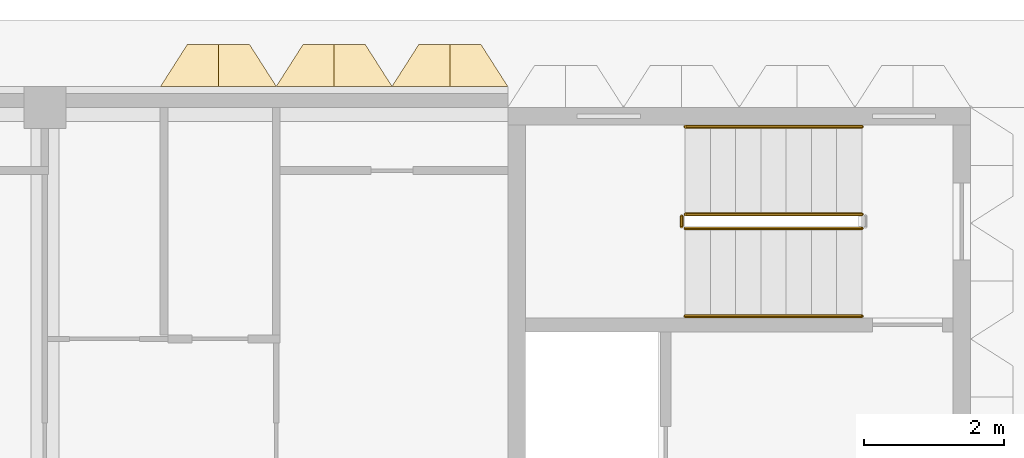
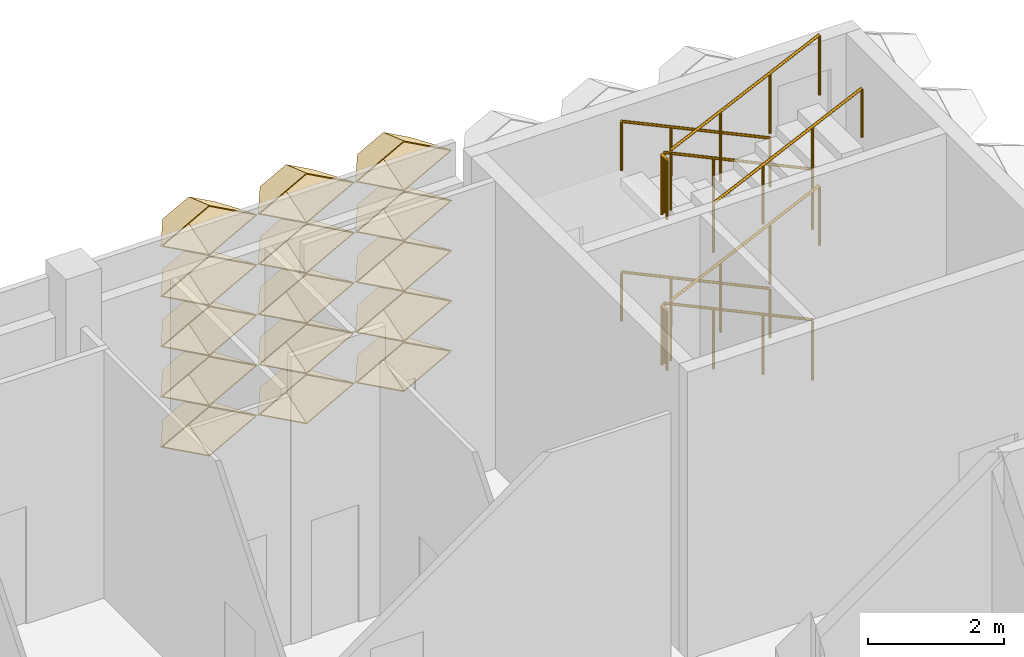
# One storey, part 82 of 85: 15 coverings, 9 railings.
"""IFC4 building model written with IfcOpenShell, lengths in metres."""

from ifc_helpers import new_model, entity, si_unit, direction, frame, origin, origin_2d, place, context, subcontext, project, spatial, circle, extrude, material, layer, layer_set, type_object, element, save


model = new_model("IFC4")

# Units and contexts
model_context = context("Model", 3, precision=1e-05, world=origin(), true_north=direction((0.0, 1.0)))
body_context = subcontext(model_context, "Body", "Model", "MODEL_VIEW")
ifc_project = project(units=[si_unit("LENGTHUNIT", "METRE"), si_unit("AREAUNIT", "SQUARE_METRE"), si_unit("VOLUMEUNIT", "CUBIC_METRE"), si_unit("PLANEANGLEUNIT", "RADIAN"), si_unit("MASSUNIT", "GRAM", prefix="KILO")], contexts=[model_context])

# Site, building, storey
site_placement = place(None, origin())
site = spatial("IfcSite", under=ifc_project, at=site_placement, CompositionType="ELEMENT")
building_placement = place(site_placement, origin())
building = spatial("IfcBuilding", under=site, at=building_placement, Name="Lantern Court Research Institute", CompositionType="ELEMENT")
storey_placement = place(building_placement, origin())
storey = spatial("IfcBuildingStorey", under=building, at=storey_placement, Name="L00", CompositionType="ELEMENT", Elevation=0.0)

# Coverings
ifc_material_1 = material(Name="Anodised aluminium", Category="aluminium")
ifc_layer = layer(ifc_material_1, 0.01611328125)
ifc_layer_set = layer_set([ifc_layer], Name="Anodised aluminium")
covering_type = type_object("IfcCoveringType", Name="Fin cassette 1650 x 900 x 600 aluminium", PredefinedType="CLADDING", material=ifc_layer_set)
covering_1_placement = place(storey_placement, frame((68.47509765625, 99.300048828125, 1.35009765625), z_axis=(0.0, 1.0, 0.0), x_axis=(-1.0, 0.0, 0.0)))
cartesian_point_1 = entity("IfcCartesianPoint", [0.824951171875, 0.0])
cartesian_point_2 = entity("IfcCartesianPoint", [0.79150390625, 0.0])
cartesian_point_3 = entity("IfcCartesianPoint", [0.44189453125, 0.0])
cartesian_point_4 = entity("IfcCartesianPoint", [0.43359375, 0.0])
element("IfcCovering", 1, at=covering_1_placement, inside=storey, type_object=covering_type, Name="Fin cassette V6N-L00 2.42", PredefinedType="CLADDING", context=body_context, shape_type="SweptSolid", body=[
    entity("IfcExtrudedAreaSolidTapered", entity("IfcArbitraryProfileDefWithVoids", "AREA", None, entity("IfcPolyline", [cartesian_point_1, entity("IfcCartesianPoint", [0.0, 0.449951171875]), entity("IfcCartesianPoint", [-0.824951171875, 0.0]), entity("IfcCartesianPoint", [0.0, -0.449951171875]), cartesian_point_1]), [entity("IfcPolyline", [cartesian_point_2, entity("IfcCartesianPoint", [0.0, 0.431884765625]), entity("IfcCartesianPoint", [-0.79150390625, 0.0]), entity("IfcCartesianPoint", [0.0, -0.431884765625]), cartesian_point_2])]), entity("IfcAxis2Placement3D", entity("IfcCartesianPoint", [0.0, 0.0, 0.0])), entity("IfcDirection", [0.0, 0.0, 1.0]), 0.60009765625, entity("IfcArbitraryProfileDefWithVoids", "AREA", None, entity("IfcPolyline", [cartesian_point_3, entity("IfcCartesianPoint", [0.0, 0.240966796875]), entity("IfcCartesianPoint", [-0.44189453125, 0.0]), entity("IfcCartesianPoint", [0.0, -0.240966796875]), cartesian_point_3]), [entity("IfcPolyline", [cartesian_point_4, entity("IfcCartesianPoint", [0.0, 0.236572265625]), entity("IfcCartesianPoint", [-0.43359375, 0.0]), entity("IfcCartesianPoint", [0.0, -0.236572265625]), cartesian_point_4])])),
])
covering_2_placement = place(storey_placement, frame((70.125, 99.300048828125, 1.35009765625), z_axis=(0.0, 1.0, 0.0), x_axis=(-1.0, 0.0, 0.0)))
cartesian_point_5 = entity("IfcCartesianPoint", [0.824951171875, 0.0])
cartesian_point_6 = entity("IfcCartesianPoint", [0.79150390625, 0.0])
cartesian_point_7 = entity("IfcCartesianPoint", [0.44189453125, 0.0])
cartesian_point_8 = entity("IfcCartesianPoint", [0.43359375, 0.0])
element("IfcCovering", 2, at=covering_2_placement, inside=storey, type_object=covering_type, Name="Fin cassette V6N-L00 2.43", PredefinedType="CLADDING", context=body_context, shape_type="SweptSolid", body=[
    entity("IfcExtrudedAreaSolidTapered", entity("IfcArbitraryProfileDefWithVoids", "AREA", None, entity("IfcPolyline", [cartesian_point_5, entity("IfcCartesianPoint", [0.0, 0.449951171875]), entity("IfcCartesianPoint", [-0.824951171875, 0.0]), entity("IfcCartesianPoint", [0.0, -0.449951171875]), cartesian_point_5]), [entity("IfcPolyline", [cartesian_point_6, entity("IfcCartesianPoint", [0.0, 0.431884765625]), entity("IfcCartesianPoint", [-0.79150390625, 0.0]), entity("IfcCartesianPoint", [0.0, -0.431884765625]), cartesian_point_6])]), entity("IfcAxis2Placement3D", entity("IfcCartesianPoint", [0.0, 0.0, 0.0])), entity("IfcDirection", [0.0, 0.0, 1.0]), 0.60009765625, entity("IfcArbitraryProfileDefWithVoids", "AREA", None, entity("IfcPolyline", [cartesian_point_7, entity("IfcCartesianPoint", [0.0, 0.240966796875]), entity("IfcCartesianPoint", [-0.44189453125, 0.0]), entity("IfcCartesianPoint", [0.0, -0.240966796875]), cartesian_point_7]), [entity("IfcPolyline", [cartesian_point_8, entity("IfcCartesianPoint", [0.0, 0.236572265625]), entity("IfcCartesianPoint", [-0.43359375, 0.0]), entity("IfcCartesianPoint", [0.0, -0.236572265625]), cartesian_point_8])])),
])
covering_3_placement = place(storey_placement, frame((71.77490234375, 99.300048828125, 1.35009765625), z_axis=(0.0, 1.0, 0.0), x_axis=(-1.0, 0.0, 0.0)))
cartesian_point_9 = entity("IfcCartesianPoint", [0.824951171875, 0.0])
cartesian_point_10 = entity("IfcCartesianPoint", [0.79150390625, 0.0])
cartesian_point_11 = entity("IfcCartesianPoint", [0.44189453125, 0.0])
cartesian_point_12 = entity("IfcCartesianPoint", [0.43359375, 0.0])
element("IfcCovering", 3, at=covering_3_placement, inside=storey, type_object=covering_type, Name="Fin cassette V6N-L00 2.44", PredefinedType="CLADDING", context=body_context, shape_type="SweptSolid", body=[
    entity("IfcExtrudedAreaSolidTapered", entity("IfcArbitraryProfileDefWithVoids", "AREA", None, entity("IfcPolyline", [cartesian_point_9, entity("IfcCartesianPoint", [0.0, 0.449951171875]), entity("IfcCartesianPoint", [-0.824951171875, 0.0]), entity("IfcCartesianPoint", [0.0, -0.449951171875]), cartesian_point_9]), [entity("IfcPolyline", [cartesian_point_10, entity("IfcCartesianPoint", [0.0, 0.431884765625]), entity("IfcCartesianPoint", [-0.79150390625, 0.0]), entity("IfcCartesianPoint", [0.0, -0.431884765625]), cartesian_point_10])]), entity("IfcAxis2Placement3D", entity("IfcCartesianPoint", [0.0, 0.0, 0.0])), entity("IfcDirection", [0.0, 0.0, 1.0]), 0.60009765625, entity("IfcArbitraryProfileDefWithVoids", "AREA", None, entity("IfcPolyline", [cartesian_point_11, entity("IfcCartesianPoint", [0.0, 0.240966796875]), entity("IfcCartesianPoint", [-0.44189453125, 0.0]), entity("IfcCartesianPoint", [0.0, -0.240966796875]), cartesian_point_11]), [entity("IfcPolyline", [cartesian_point_12, entity("IfcCartesianPoint", [0.0, 0.236572265625]), entity("IfcCartesianPoint", [-0.43359375, 0.0]), entity("IfcCartesianPoint", [0.0, -0.236572265625]), cartesian_point_12])])),
])
covering_4_placement = place(storey_placement, frame((68.47509765625, 99.300048828125, 2.25), z_axis=(0.0, 1.0, 0.0), x_axis=(-1.0, 0.0, 0.0)))
cartesian_point_13 = entity("IfcCartesianPoint", [0.824951171875, 0.0])
cartesian_point_14 = entity("IfcCartesianPoint", [0.79150390625, 0.0])
cartesian_point_15 = entity("IfcCartesianPoint", [0.44189453125, 0.0])
cartesian_point_16 = entity("IfcCartesianPoint", [0.43359375, 0.0])
element("IfcCovering", 4, at=covering_4_placement, inside=storey, type_object=covering_type, Name="Fin cassette V6N-L00 3.42", PredefinedType="CLADDING", context=body_context, shape_type="SweptSolid", body=[
    entity("IfcExtrudedAreaSolidTapered", entity("IfcArbitraryProfileDefWithVoids", "AREA", None, entity("IfcPolyline", [cartesian_point_13, entity("IfcCartesianPoint", [0.0, 0.449951171875]), entity("IfcCartesianPoint", [-0.824951171875, 0.0]), entity("IfcCartesianPoint", [0.0, -0.449951171875]), cartesian_point_13]), [entity("IfcPolyline", [cartesian_point_14, entity("IfcCartesianPoint", [0.0, 0.431884765625]), entity("IfcCartesianPoint", [-0.79150390625, 0.0]), entity("IfcCartesianPoint", [0.0, -0.431884765625]), cartesian_point_14])]), entity("IfcAxis2Placement3D", entity("IfcCartesianPoint", [0.0, 0.0, 0.0])), entity("IfcDirection", [0.0, 0.0, 1.0]), 0.60009765625, entity("IfcArbitraryProfileDefWithVoids", "AREA", None, entity("IfcPolyline", [cartesian_point_15, entity("IfcCartesianPoint", [0.0, 0.240966796875]), entity("IfcCartesianPoint", [-0.44189453125, 0.0]), entity("IfcCartesianPoint", [0.0, -0.240966796875]), cartesian_point_15]), [entity("IfcPolyline", [cartesian_point_16, entity("IfcCartesianPoint", [0.0, 0.236572265625]), entity("IfcCartesianPoint", [-0.43359375, 0.0]), entity("IfcCartesianPoint", [0.0, -0.236572265625]), cartesian_point_16])])),
])
covering_5_placement = place(storey_placement, frame((70.125, 99.300048828125, 2.25), z_axis=(0.0, 1.0, 0.0), x_axis=(-1.0, 0.0, 0.0)))
cartesian_point_17 = entity("IfcCartesianPoint", [0.824951171875, 0.0])
cartesian_point_18 = entity("IfcCartesianPoint", [0.79150390625, 0.0])
cartesian_point_19 = entity("IfcCartesianPoint", [0.44189453125, 0.0])
cartesian_point_20 = entity("IfcCartesianPoint", [0.43359375, 0.0])
element("IfcCovering", 5, at=covering_5_placement, inside=storey, type_object=covering_type, Name="Fin cassette V6N-L00 3.43", PredefinedType="CLADDING", context=body_context, shape_type="SweptSolid", body=[
    entity("IfcExtrudedAreaSolidTapered", entity("IfcArbitraryProfileDefWithVoids", "AREA", None, entity("IfcPolyline", [cartesian_point_17, entity("IfcCartesianPoint", [0.0, 0.449951171875]), entity("IfcCartesianPoint", [-0.824951171875, 0.0]), entity("IfcCartesianPoint", [0.0, -0.449951171875]), cartesian_point_17]), [entity("IfcPolyline", [cartesian_point_18, entity("IfcCartesianPoint", [0.0, 0.431884765625]), entity("IfcCartesianPoint", [-0.79150390625, 0.0]), entity("IfcCartesianPoint", [0.0, -0.431884765625]), cartesian_point_18])]), entity("IfcAxis2Placement3D", entity("IfcCartesianPoint", [0.0, 0.0, 0.0])), entity("IfcDirection", [0.0, 0.0, 1.0]), 0.60009765625, entity("IfcArbitraryProfileDefWithVoids", "AREA", None, entity("IfcPolyline", [cartesian_point_19, entity("IfcCartesianPoint", [0.0, 0.240966796875]), entity("IfcCartesianPoint", [-0.44189453125, 0.0]), entity("IfcCartesianPoint", [0.0, -0.240966796875]), cartesian_point_19]), [entity("IfcPolyline", [cartesian_point_20, entity("IfcCartesianPoint", [0.0, 0.236572265625]), entity("IfcCartesianPoint", [-0.43359375, 0.0]), entity("IfcCartesianPoint", [0.0, -0.236572265625]), cartesian_point_20])])),
])
covering_6_placement = place(storey_placement, frame((71.77490234375, 99.300048828125, 2.25), z_axis=(0.0, 1.0, 0.0), x_axis=(-1.0, 0.0, 0.0)))
cartesian_point_21 = entity("IfcCartesianPoint", [0.824951171875, 0.0])
cartesian_point_22 = entity("IfcCartesianPoint", [0.79150390625, 0.0])
cartesian_point_23 = entity("IfcCartesianPoint", [0.44189453125, 0.0])
cartesian_point_24 = entity("IfcCartesianPoint", [0.43359375, 0.0])
element("IfcCovering", 6, at=covering_6_placement, inside=storey, type_object=covering_type, Name="Fin cassette V6N-L00 3.44", PredefinedType="CLADDING", context=body_context, shape_type="SweptSolid", body=[
    entity("IfcExtrudedAreaSolidTapered", entity("IfcArbitraryProfileDefWithVoids", "AREA", None, entity("IfcPolyline", [cartesian_point_21, entity("IfcCartesianPoint", [0.0, 0.449951171875]), entity("IfcCartesianPoint", [-0.824951171875, 0.0]), entity("IfcCartesianPoint", [0.0, -0.449951171875]), cartesian_point_21]), [entity("IfcPolyline", [cartesian_point_22, entity("IfcCartesianPoint", [0.0, 0.431884765625]), entity("IfcCartesianPoint", [-0.79150390625, 0.0]), entity("IfcCartesianPoint", [0.0, -0.431884765625]), cartesian_point_22])]), entity("IfcAxis2Placement3D", entity("IfcCartesianPoint", [0.0, 0.0, 0.0])), entity("IfcDirection", [0.0, 0.0, 1.0]), 0.60009765625, entity("IfcArbitraryProfileDefWithVoids", "AREA", None, entity("IfcPolyline", [cartesian_point_23, entity("IfcCartesianPoint", [0.0, 0.240966796875]), entity("IfcCartesianPoint", [-0.44189453125, 0.0]), entity("IfcCartesianPoint", [0.0, -0.240966796875]), cartesian_point_23]), [entity("IfcPolyline", [cartesian_point_24, entity("IfcCartesianPoint", [0.0, 0.236572265625]), entity("IfcCartesianPoint", [-0.43359375, 0.0]), entity("IfcCartesianPoint", [0.0, -0.236572265625]), cartesian_point_24])])),
])
covering_7_placement = place(storey_placement, frame((68.47509765625, 99.300048828125, 3.14990234375), z_axis=(0.0, 1.0, 0.0), x_axis=(-1.0, 0.0, 0.0)))
cartesian_point_25 = entity("IfcCartesianPoint", [0.824951171875, 0.0])
cartesian_point_26 = entity("IfcCartesianPoint", [0.79150390625, 0.0])
cartesian_point_27 = entity("IfcCartesianPoint", [0.44189453125, 0.0])
cartesian_point_28 = entity("IfcCartesianPoint", [0.43359375, 0.0])
element("IfcCovering", 7, at=covering_7_placement, inside=storey, type_object=covering_type, Name="Fin cassette V6N-L00 4.42", PredefinedType="CLADDING", context=body_context, shape_type="SweptSolid", body=[
    entity("IfcExtrudedAreaSolidTapered", entity("IfcArbitraryProfileDefWithVoids", "AREA", None, entity("IfcPolyline", [cartesian_point_25, entity("IfcCartesianPoint", [0.0, 0.449951171875]), entity("IfcCartesianPoint", [-0.824951171875, 0.0]), entity("IfcCartesianPoint", [0.0, -0.449951171875]), cartesian_point_25]), [entity("IfcPolyline", [cartesian_point_26, entity("IfcCartesianPoint", [0.0, 0.431884765625]), entity("IfcCartesianPoint", [-0.79150390625, 0.0]), entity("IfcCartesianPoint", [0.0, -0.431884765625]), cartesian_point_26])]), entity("IfcAxis2Placement3D", entity("IfcCartesianPoint", [0.0, 0.0, 0.0])), entity("IfcDirection", [0.0, 0.0, 1.0]), 0.60009765625, entity("IfcArbitraryProfileDefWithVoids", "AREA", None, entity("IfcPolyline", [cartesian_point_27, entity("IfcCartesianPoint", [0.0, 0.240966796875]), entity("IfcCartesianPoint", [-0.44189453125, 0.0]), entity("IfcCartesianPoint", [0.0, -0.240966796875]), cartesian_point_27]), [entity("IfcPolyline", [cartesian_point_28, entity("IfcCartesianPoint", [0.0, 0.236572265625]), entity("IfcCartesianPoint", [-0.43359375, 0.0]), entity("IfcCartesianPoint", [0.0, -0.236572265625]), cartesian_point_28])])),
])
covering_8_placement = place(storey_placement, frame((70.125, 99.300048828125, 3.14990234375), z_axis=(0.0, 1.0, 0.0), x_axis=(-1.0, 0.0, 0.0)))
cartesian_point_29 = entity("IfcCartesianPoint", [0.824951171875, 0.0])
cartesian_point_30 = entity("IfcCartesianPoint", [0.79150390625, 0.0])
cartesian_point_31 = entity("IfcCartesianPoint", [0.44189453125, 0.0])
cartesian_point_32 = entity("IfcCartesianPoint", [0.43359375, 0.0])
element("IfcCovering", 8, at=covering_8_placement, inside=storey, type_object=covering_type, Name="Fin cassette V6N-L00 4.43", PredefinedType="CLADDING", context=body_context, shape_type="SweptSolid", body=[
    entity("IfcExtrudedAreaSolidTapered", entity("IfcArbitraryProfileDefWithVoids", "AREA", None, entity("IfcPolyline", [cartesian_point_29, entity("IfcCartesianPoint", [0.0, 0.449951171875]), entity("IfcCartesianPoint", [-0.824951171875, 0.0]), entity("IfcCartesianPoint", [0.0, -0.449951171875]), cartesian_point_29]), [entity("IfcPolyline", [cartesian_point_30, entity("IfcCartesianPoint", [0.0, 0.431884765625]), entity("IfcCartesianPoint", [-0.79150390625, 0.0]), entity("IfcCartesianPoint", [0.0, -0.431884765625]), cartesian_point_30])]), entity("IfcAxis2Placement3D", entity("IfcCartesianPoint", [0.0, 0.0, 0.0])), entity("IfcDirection", [0.0, 0.0, 1.0]), 0.60009765625, entity("IfcArbitraryProfileDefWithVoids", "AREA", None, entity("IfcPolyline", [cartesian_point_31, entity("IfcCartesianPoint", [0.0, 0.240966796875]), entity("IfcCartesianPoint", [-0.44189453125, 0.0]), entity("IfcCartesianPoint", [0.0, -0.240966796875]), cartesian_point_31]), [entity("IfcPolyline", [cartesian_point_32, entity("IfcCartesianPoint", [0.0, 0.236572265625]), entity("IfcCartesianPoint", [-0.43359375, 0.0]), entity("IfcCartesianPoint", [0.0, -0.236572265625]), cartesian_point_32])])),
])
covering_9_placement = place(storey_placement, frame((71.77490234375, 99.300048828125, 3.14990234375), z_axis=(0.0, 1.0, 0.0), x_axis=(-1.0, 0.0, 0.0)))
cartesian_point_33 = entity("IfcCartesianPoint", [0.824951171875, 0.0])
cartesian_point_34 = entity("IfcCartesianPoint", [0.79150390625, 0.0])
cartesian_point_35 = entity("IfcCartesianPoint", [0.44189453125, 0.0])
cartesian_point_36 = entity("IfcCartesianPoint", [0.43359375, 0.0])
element("IfcCovering", 9, at=covering_9_placement, inside=storey, type_object=covering_type, Name="Fin cassette V6N-L00 4.44", PredefinedType="CLADDING", context=body_context, shape_type="SweptSolid", body=[
    entity("IfcExtrudedAreaSolidTapered", entity("IfcArbitraryProfileDefWithVoids", "AREA", None, entity("IfcPolyline", [cartesian_point_33, entity("IfcCartesianPoint", [0.0, 0.449951171875]), entity("IfcCartesianPoint", [-0.824951171875, 0.0]), entity("IfcCartesianPoint", [0.0, -0.449951171875]), cartesian_point_33]), [entity("IfcPolyline", [cartesian_point_34, entity("IfcCartesianPoint", [0.0, 0.431884765625]), entity("IfcCartesianPoint", [-0.79150390625, 0.0]), entity("IfcCartesianPoint", [0.0, -0.431884765625]), cartesian_point_34])]), entity("IfcAxis2Placement3D", entity("IfcCartesianPoint", [0.0, 0.0, 0.0])), entity("IfcDirection", [0.0, 0.0, 1.0]), 0.60009765625, entity("IfcArbitraryProfileDefWithVoids", "AREA", None, entity("IfcPolyline", [cartesian_point_35, entity("IfcCartesianPoint", [0.0, 0.240966796875]), entity("IfcCartesianPoint", [-0.44189453125, 0.0]), entity("IfcCartesianPoint", [0.0, -0.240966796875]), cartesian_point_35]), [entity("IfcPolyline", [cartesian_point_36, entity("IfcCartesianPoint", [0.0, 0.236572265625]), entity("IfcCartesianPoint", [-0.43359375, 0.0]), entity("IfcCartesianPoint", [0.0, -0.236572265625]), cartesian_point_36])])),
])
covering_10_placement = place(storey_placement, frame((68.47509765625, 99.300048828125, 4.050048828125), z_axis=(0.0, 1.0, 0.0), x_axis=(-1.0, 0.0, 0.0)))
cartesian_point_37 = entity("IfcCartesianPoint", [0.824951171875, 0.0])
cartesian_point_38 = entity("IfcCartesianPoint", [0.79150390625, 0.0])
cartesian_point_39 = entity("IfcCartesianPoint", [0.44189453125, 0.0])
cartesian_point_40 = entity("IfcCartesianPoint", [0.43359375, 0.0])
element("IfcCovering", 10, at=covering_10_placement, inside=storey, type_object=covering_type, Name="Fin cassette V6N-L00 5.42", PredefinedType="CLADDING", context=body_context, shape_type="SweptSolid", body=[
    entity("IfcExtrudedAreaSolidTapered", entity("IfcArbitraryProfileDefWithVoids", "AREA", None, entity("IfcPolyline", [cartesian_point_37, entity("IfcCartesianPoint", [0.0, 0.449951171875]), entity("IfcCartesianPoint", [-0.824951171875, 0.0]), entity("IfcCartesianPoint", [0.0, -0.449951171875]), cartesian_point_37]), [entity("IfcPolyline", [cartesian_point_38, entity("IfcCartesianPoint", [0.0, 0.431884765625]), entity("IfcCartesianPoint", [-0.79150390625, 0.0]), entity("IfcCartesianPoint", [0.0, -0.431884765625]), cartesian_point_38])]), entity("IfcAxis2Placement3D", entity("IfcCartesianPoint", [0.0, 0.0, 0.0])), entity("IfcDirection", [0.0, 0.0, 1.0]), 0.60009765625, entity("IfcArbitraryProfileDefWithVoids", "AREA", None, entity("IfcPolyline", [cartesian_point_39, entity("IfcCartesianPoint", [0.0, 0.240966796875]), entity("IfcCartesianPoint", [-0.44189453125, 0.0]), entity("IfcCartesianPoint", [0.0, -0.240966796875]), cartesian_point_39]), [entity("IfcPolyline", [cartesian_point_40, entity("IfcCartesianPoint", [0.0, 0.236572265625]), entity("IfcCartesianPoint", [-0.43359375, 0.0]), entity("IfcCartesianPoint", [0.0, -0.236572265625]), cartesian_point_40])])),
])
covering_11_placement = place(storey_placement, frame((70.125, 99.300048828125, 4.050048828125), z_axis=(0.0, 1.0, 0.0), x_axis=(-1.0, 0.0, 0.0)))
cartesian_point_41 = entity("IfcCartesianPoint", [0.824951171875, 0.0])
cartesian_point_42 = entity("IfcCartesianPoint", [0.79150390625, 0.0])
cartesian_point_43 = entity("IfcCartesianPoint", [0.44189453125, 0.0])
cartesian_point_44 = entity("IfcCartesianPoint", [0.43359375, 0.0])
element("IfcCovering", 11, at=covering_11_placement, inside=storey, type_object=covering_type, Name="Fin cassette V6N-L00 5.43", PredefinedType="CLADDING", context=body_context, shape_type="SweptSolid", body=[
    entity("IfcExtrudedAreaSolidTapered", entity("IfcArbitraryProfileDefWithVoids", "AREA", None, entity("IfcPolyline", [cartesian_point_41, entity("IfcCartesianPoint", [0.0, 0.449951171875]), entity("IfcCartesianPoint", [-0.824951171875, 0.0]), entity("IfcCartesianPoint", [0.0, -0.449951171875]), cartesian_point_41]), [entity("IfcPolyline", [cartesian_point_42, entity("IfcCartesianPoint", [0.0, 0.431884765625]), entity("IfcCartesianPoint", [-0.79150390625, 0.0]), entity("IfcCartesianPoint", [0.0, -0.431884765625]), cartesian_point_42])]), entity("IfcAxis2Placement3D", entity("IfcCartesianPoint", [0.0, 0.0, 0.0])), entity("IfcDirection", [0.0, 0.0, 1.0]), 0.60009765625, entity("IfcArbitraryProfileDefWithVoids", "AREA", None, entity("IfcPolyline", [cartesian_point_43, entity("IfcCartesianPoint", [0.0, 0.240966796875]), entity("IfcCartesianPoint", [-0.44189453125, 0.0]), entity("IfcCartesianPoint", [0.0, -0.240966796875]), cartesian_point_43]), [entity("IfcPolyline", [cartesian_point_44, entity("IfcCartesianPoint", [0.0, 0.236572265625]), entity("IfcCartesianPoint", [-0.43359375, 0.0]), entity("IfcCartesianPoint", [0.0, -0.236572265625]), cartesian_point_44])])),
])
covering_12_placement = place(storey_placement, frame((71.77490234375, 99.300048828125, 4.050048828125), z_axis=(0.0, 1.0, 0.0), x_axis=(-1.0, 0.0, 0.0)))
cartesian_point_45 = entity("IfcCartesianPoint", [0.824951171875, 0.0])
cartesian_point_46 = entity("IfcCartesianPoint", [0.79150390625, 0.0])
cartesian_point_47 = entity("IfcCartesianPoint", [0.44189453125, 0.0])
cartesian_point_48 = entity("IfcCartesianPoint", [0.43359375, 0.0])
element("IfcCovering", 12, at=covering_12_placement, inside=storey, type_object=covering_type, Name="Fin cassette V6N-L00 5.44", PredefinedType="CLADDING", context=body_context, shape_type="SweptSolid", body=[
    entity("IfcExtrudedAreaSolidTapered", entity("IfcArbitraryProfileDefWithVoids", "AREA", None, entity("IfcPolyline", [cartesian_point_45, entity("IfcCartesianPoint", [0.0, 0.449951171875]), entity("IfcCartesianPoint", [-0.824951171875, 0.0]), entity("IfcCartesianPoint", [0.0, -0.449951171875]), cartesian_point_45]), [entity("IfcPolyline", [cartesian_point_46, entity("IfcCartesianPoint", [0.0, 0.431884765625]), entity("IfcCartesianPoint", [-0.79150390625, 0.0]), entity("IfcCartesianPoint", [0.0, -0.431884765625]), cartesian_point_46])]), entity("IfcAxis2Placement3D", entity("IfcCartesianPoint", [0.0, 0.0, 0.0])), entity("IfcDirection", [0.0, 0.0, 1.0]), 0.60009765625, entity("IfcArbitraryProfileDefWithVoids", "AREA", None, entity("IfcPolyline", [cartesian_point_47, entity("IfcCartesianPoint", [0.0, 0.240966796875]), entity("IfcCartesianPoint", [-0.44189453125, 0.0]), entity("IfcCartesianPoint", [0.0, -0.240966796875]), cartesian_point_47]), [entity("IfcPolyline", [cartesian_point_48, entity("IfcCartesianPoint", [0.0, 0.236572265625]), entity("IfcCartesianPoint", [-0.43359375, 0.0]), entity("IfcCartesianPoint", [0.0, -0.236572265625]), cartesian_point_48])])),
])
covering_13_placement = place(storey_placement, frame((68.47509765625, 99.300048828125, 4.949951171875), z_axis=(0.0, 1.0, 0.0), x_axis=(-1.0, 0.0, 0.0)))
cartesian_point_49 = entity("IfcCartesianPoint", [0.824951171875, 0.0])
cartesian_point_50 = entity("IfcCartesianPoint", [0.79150390625, 0.0])
cartesian_point_51 = entity("IfcCartesianPoint", [0.44189453125, 0.0])
cartesian_point_52 = entity("IfcCartesianPoint", [0.43359375, 0.0])
element("IfcCovering", 13, at=covering_13_placement, inside=storey, type_object=covering_type, Name="Fin cassette V6N-L00 6.42", PredefinedType="CLADDING", context=body_context, shape_type="SweptSolid", body=[
    entity("IfcExtrudedAreaSolidTapered", entity("IfcArbitraryProfileDefWithVoids", "AREA", None, entity("IfcPolyline", [cartesian_point_49, entity("IfcCartesianPoint", [0.0, 0.449951171875]), entity("IfcCartesianPoint", [-0.824951171875, 0.0]), entity("IfcCartesianPoint", [0.0, -0.449951171875]), cartesian_point_49]), [entity("IfcPolyline", [cartesian_point_50, entity("IfcCartesianPoint", [0.0, 0.431884765625]), entity("IfcCartesianPoint", [-0.79150390625, 0.0]), entity("IfcCartesianPoint", [0.0, -0.431884765625]), cartesian_point_50])]), entity("IfcAxis2Placement3D", entity("IfcCartesianPoint", [0.0, 0.0, 0.0])), entity("IfcDirection", [0.0, 0.0, 1.0]), 0.60009765625, entity("IfcArbitraryProfileDefWithVoids", "AREA", None, entity("IfcPolyline", [cartesian_point_51, entity("IfcCartesianPoint", [0.0, 0.240966796875]), entity("IfcCartesianPoint", [-0.44189453125, 0.0]), entity("IfcCartesianPoint", [0.0, -0.240966796875]), cartesian_point_51]), [entity("IfcPolyline", [cartesian_point_52, entity("IfcCartesianPoint", [0.0, 0.236572265625]), entity("IfcCartesianPoint", [-0.43359375, 0.0]), entity("IfcCartesianPoint", [0.0, -0.236572265625]), cartesian_point_52])])),
])
covering_14_placement = place(storey_placement, frame((70.125, 99.300048828125, 4.949951171875), z_axis=(0.0, 1.0, 0.0), x_axis=(-1.0, 0.0, 0.0)))
cartesian_point_53 = entity("IfcCartesianPoint", [0.824951171875, 0.0])
cartesian_point_54 = entity("IfcCartesianPoint", [0.79150390625, 0.0])
cartesian_point_55 = entity("IfcCartesianPoint", [0.44189453125, 0.0])
cartesian_point_56 = entity("IfcCartesianPoint", [0.43359375, 0.0])
element("IfcCovering", 14, at=covering_14_placement, inside=storey, type_object=covering_type, Name="Fin cassette V6N-L00 6.43", PredefinedType="CLADDING", context=body_context, shape_type="SweptSolid", body=[
    entity("IfcExtrudedAreaSolidTapered", entity("IfcArbitraryProfileDefWithVoids", "AREA", None, entity("IfcPolyline", [cartesian_point_53, entity("IfcCartesianPoint", [0.0, 0.449951171875]), entity("IfcCartesianPoint", [-0.824951171875, 0.0]), entity("IfcCartesianPoint", [0.0, -0.449951171875]), cartesian_point_53]), [entity("IfcPolyline", [cartesian_point_54, entity("IfcCartesianPoint", [0.0, 0.431884765625]), entity("IfcCartesianPoint", [-0.79150390625, 0.0]), entity("IfcCartesianPoint", [0.0, -0.431884765625]), cartesian_point_54])]), entity("IfcAxis2Placement3D", entity("IfcCartesianPoint", [0.0, 0.0, 0.0])), entity("IfcDirection", [0.0, 0.0, 1.0]), 0.60009765625, entity("IfcArbitraryProfileDefWithVoids", "AREA", None, entity("IfcPolyline", [cartesian_point_55, entity("IfcCartesianPoint", [0.0, 0.240966796875]), entity("IfcCartesianPoint", [-0.44189453125, 0.0]), entity("IfcCartesianPoint", [0.0, -0.240966796875]), cartesian_point_55]), [entity("IfcPolyline", [cartesian_point_56, entity("IfcCartesianPoint", [0.0, 0.236572265625]), entity("IfcCartesianPoint", [-0.43359375, 0.0]), entity("IfcCartesianPoint", [0.0, -0.236572265625]), cartesian_point_56])])),
])
covering_15_placement = place(storey_placement, frame((71.77490234375, 99.300048828125, 4.949951171875), z_axis=(0.0, 1.0, 0.0), x_axis=(-1.0, 0.0, 0.0)))
cartesian_point_57 = entity("IfcCartesianPoint", [0.824951171875, 0.0])
cartesian_point_58 = entity("IfcCartesianPoint", [0.79150390625, 0.0])
cartesian_point_59 = entity("IfcCartesianPoint", [0.44189453125, 0.0])
cartesian_point_60 = entity("IfcCartesianPoint", [0.43359375, 0.0])
element("IfcCovering", 15, at=covering_15_placement, inside=storey, type_object=covering_type, Name="Fin cassette V6N-L00 6.44", PredefinedType="CLADDING", context=body_context, shape_type="SweptSolid", body=[
    entity("IfcExtrudedAreaSolidTapered", entity("IfcArbitraryProfileDefWithVoids", "AREA", None, entity("IfcPolyline", [cartesian_point_57, entity("IfcCartesianPoint", [0.0, 0.449951171875]), entity("IfcCartesianPoint", [-0.824951171875, 0.0]), entity("IfcCartesianPoint", [0.0, -0.449951171875]), cartesian_point_57]), [entity("IfcPolyline", [cartesian_point_58, entity("IfcCartesianPoint", [0.0, 0.431884765625]), entity("IfcCartesianPoint", [-0.79150390625, 0.0]), entity("IfcCartesianPoint", [0.0, -0.431884765625]), cartesian_point_58])]), entity("IfcAxis2Placement3D", entity("IfcCartesianPoint", [0.0, 0.0, 0.0])), entity("IfcDirection", [0.0, 0.0, 1.0]), 0.60009765625, entity("IfcArbitraryProfileDefWithVoids", "AREA", None, entity("IfcPolyline", [cartesian_point_59, entity("IfcCartesianPoint", [0.0, 0.240966796875]), entity("IfcCartesianPoint", [-0.44189453125, 0.0]), entity("IfcCartesianPoint", [0.0, -0.240966796875]), cartesian_point_59]), [entity("IfcPolyline", [cartesian_point_60, entity("IfcCartesianPoint", [0.0, 0.236572265625]), entity("IfcCartesianPoint", [-0.43359375, 0.0]), entity("IfcCartesianPoint", [0.0, -0.236572265625]), cartesian_point_60])])),
])

# Railings
ifc_material_2 = material(Name="Structural steel S355", Category="steel")
railing_type_1 = type_object("IfcRailingType", Name="Stair guard 1100 steel", PredefinedType="GUARDRAIL", material=ifc_material_2)
railing_1_placement = place(storey_placement, frame((77.64990234375, 97.47509765625, 0.168701171875)))
element("IfcRailing", 16, at=railing_1_placement, inside=storey, type_object=railing_type_1, Name="L00 ST-W3 stair guard 1", PredefinedType="GUARDRAIL", context=body_context, shape_type="SweptSolid", body=[
    extrude(circle(Radius=0.02392578125, at=origin_2d()), frame((0.0, 0.0, 1.076171875), z_axis=(-0.905439972488, 0.0, 0.424474329284), x_axis=(0.0, -1.0, 0.0)), (0.0, 0.0, 1.0), 2.783203125),
    extrude(circle(Radius=0.02099609375, at=origin_2d()), origin(), (0.0, 0.0, 1.0), 1.052001953125),
    extrude(circle(Radius=0.02099609375, at=origin_2d()), frame((-0.840087890625, 0.0, 0.393798828125)), (0.0, 0.0, 1.0), 1.052001953125),
    extrude(circle(Radius=0.02099609375, at=origin_2d()), frame((-1.679931640625, 0.0, 0.78759765625)), (0.0, 0.0, 1.0), 1.052001953125),
    extrude(circle(Radius=0.02099609375, at=origin_2d()), frame((-2.52001953125, 0.0, 1.181396484375)), (0.0, 0.0, 1.0), 1.052001953125),
])
railing_2_placement = place(storey_placement, frame((75.080078125, 97.449951171875, 1.35009765625)))
element("IfcRailing", 17, at=railing_2_placement, inside=storey, type_object=railing_type_1, Name="L00 ST-W3 stair guard 2", PredefinedType="GUARDRAIL", context=body_context, shape_type="SweptSolid", body=[
    extrude(circle(Radius=0.02392578125, at=origin_2d()), frame((0.0, 0.0, 1.076171875), z_axis=(0.0, -1.0, 0.0), x_axis=(1.0, 0.0, 0.0)), (0.0, 0.0, 1.0), 0.14990234375),
    extrude(circle(Radius=0.02099609375, at=origin_2d()), origin(), (0.0, 0.0, 1.0), 1.052001953125),
    extrude(circle(Radius=0.02099609375, at=origin_2d()), frame((0.0, -0.14990234375, 0.0)), (0.0, 0.0, 1.0), 1.052001953125),
])
railing_3_placement = place(storey_placement, frame((75.1298828125, 97.27490234375, 1.518798828125)))
element("IfcRailing", 18, at=railing_3_placement, inside=storey, type_object=railing_type_1, Name="L00 ST-W3 stair guard 3", PredefinedType="GUARDRAIL", context=body_context, shape_type="SweptSolid", body=[
    extrude(circle(Radius=0.02392578125, at=origin_2d()), frame((0.0, 0.0, 1.076171875), z_axis=(0.905473684625, 0.0, 0.424402410988), x_axis=(0.0, 1.0, 0.0)), (0.0, 0.0, 1.0), 2.783203125),
    extrude(circle(Radius=0.02099609375, at=origin_2d()), origin(), (0.0, 0.0, 1.0), 1.052001953125),
    extrude(circle(Radius=0.02099609375, at=origin_2d()), frame((0.840087890625, 0.0, 0.393798828125)), (0.0, 0.0, 1.0), 1.052001953125),
    extrude(circle(Radius=0.02099609375, at=origin_2d()), frame((1.679931640625, 0.0, 0.787353515625)), (0.0, 0.0, 1.0), 1.052001953125),
    extrude(circle(Radius=0.02099609375, at=origin_2d()), frame((2.52001953125, 0.0, 1.18115234375)), (0.0, 0.0, 1.0), 1.052001953125),
])
railing_4_placement = place(storey_placement, frame((77.64990234375, 97.47509765625, 2.86865234375)))
element("IfcRailing", 19, at=railing_4_placement, inside=storey, type_object=railing_type_1, Name="L00 ST-W3 stair guard 5", PredefinedType="GUARDRAIL", context=body_context, shape_type="SweptSolid", body=[
    extrude(circle(Radius=0.02392578125, at=origin_2d()), frame((0.0, 0.0, 1.076171875), z_axis=(-0.905439972488, 0.0, 0.424474329284), x_axis=(0.0, -1.0, 0.0)), (0.0, 0.0, 1.0), 2.783203125),
    extrude(circle(Radius=0.02099609375, at=origin_2d()), origin(), (0.0, 0.0, 1.0), 1.052001953125),
    extrude(circle(Radius=0.02099609375, at=origin_2d()), frame((-0.840087890625, 0.0, 0.393798828125)), (0.0, 0.0, 1.0), 1.052001953125),
    extrude(circle(Radius=0.02099609375, at=origin_2d()), frame((-1.679931640625, 0.0, 0.78759765625)), (0.0, 0.0, 1.0), 1.052001953125),
    extrude(circle(Radius=0.02099609375, at=origin_2d()), frame((-2.52001953125, 0.0, 1.181396484375)), (0.0, 0.0, 1.0), 1.052001953125),
])
railing_5_placement = place(storey_placement, frame((75.080078125, 97.449951171875, 4.050048828125)))
element("IfcRailing", 20, at=railing_5_placement, inside=storey, type_object=railing_type_1, Name="L00 ST-W3 stair guard 6", PredefinedType="GUARDRAIL", context=body_context, shape_type="SweptSolid", body=[
    extrude(circle(Radius=0.02392578125, at=origin_2d()), frame((0.0, 0.0, 1.076171875), z_axis=(0.0, -1.0, 0.0), x_axis=(1.0, 0.0, 0.0)), (0.0, 0.0, 1.0), 0.14990234375),
    extrude(circle(Radius=0.02099609375, at=origin_2d()), origin(), (0.0, 0.0, 1.0), 1.052001953125),
    extrude(circle(Radius=0.02099609375, at=origin_2d()), frame((0.0, -0.14990234375, 0.0)), (0.0, 0.0, 1.0), 1.052001953125),
])
railing_6_placement = place(storey_placement, frame((75.1298828125, 97.27490234375, 4.21875)))
element("IfcRailing", 21, at=railing_6_placement, inside=storey, type_object=railing_type_1, Name="L00 ST-W3 stair guard 7", PredefinedType="GUARDRAIL", context=body_context, shape_type="SweptSolid", body=[
    extrude(circle(Radius=0.02392578125, at=origin_2d()), frame((0.0, 0.0, 1.076171875), z_axis=(0.905473684625, 0.0, 0.424402410988), x_axis=(0.0, 1.0, 0.0)), (0.0, 0.0, 1.0), 2.783203125),
    extrude(circle(Radius=0.02099609375, at=origin_2d()), origin(), (0.0, 0.0, 1.0), 1.052001953125),
    extrude(circle(Radius=0.02099609375, at=origin_2d()), frame((0.840087890625, 0.0, 0.393798828125)), (0.0, 0.0, 1.0), 1.052001953125),
    extrude(circle(Radius=0.02099609375, at=origin_2d()), frame((1.679931640625, 0.0, 0.787353515625)), (0.0, 0.0, 1.0), 1.052001953125),
    extrude(circle(Radius=0.02099609375, at=origin_2d()), frame((2.52001953125, 0.0, 1.18115234375)), (0.0, 0.0, 1.0), 1.052001953125),
])
ifc_material_3 = material(Name="Stainless steel 316", Category="steel")
railing_type_2 = type_object("IfcRailingType", Name="Stair handrail 900 steel", PredefinedType="HANDRAIL", material=ifc_material_3)
for number, where, name in (
    (22, (77.64990234375, 98.72509765625, 0.168701171875), "L00 ST-W3 stair handrail 1"),
    (23, (77.64990234375, 98.72509765625, 2.86865234375), "L00 ST-W3 stair handrail 3"),
):
    element("IfcRailing", number, at=place(storey_placement, frame(where)), inside=storey, type_object=railing_type_2, Name=name, PredefinedType="HANDRAIL", context=body_context, shape_type="SweptSolid", body=[
        extrude(circle(Radius=0.02392578125, at=origin_2d()), frame((0.0, 0.0, 0.8759765625), z_axis=(-0.905439972488, 0.0, 0.424474329284), x_axis=(0.0, -1.0, 0.0)), (0.0, 0.0, 1.0), 2.783203125),
        extrude(circle(Radius=0.02099609375, at=origin_2d()), origin(), (0.0, 0.0, 1.0), 0.851806640625),
        extrude(circle(Radius=0.02099609375, at=origin_2d()), frame((-0.840087890625, 0.0, 0.393798828125)), (0.0, 0.0, 1.0), 0.851806640625),
        extrude(circle(Radius=0.02099609375, at=origin_2d()), frame((-1.679931640625, 0.0, 0.78759765625)), (0.0, 0.0, 1.0), 0.851806640625),
        extrude(circle(Radius=0.02099609375, at=origin_2d()), frame((-2.52001953125, 0.0, 1.181396484375)), (0.0, 0.0, 1.0), 0.851806640625),
    ])
railing_7_placement = place(storey_placement, frame((75.1298828125, 96.02490234375, 4.21875)))
element("IfcRailing", 24, at=railing_7_placement, inside=storey, type_object=railing_type_2, Name="L00 ST-W3 stair handrail 4", PredefinedType="HANDRAIL", context=body_context, shape_type="SweptSolid", body=[
    extrude(circle(Radius=0.02392578125, at=origin_2d()), frame((0.0, 0.0, 0.8759765625), z_axis=(0.905473684625, 0.0, 0.424402410988), x_axis=(0.0, 1.0, 0.0)), (0.0, 0.0, 1.0), 2.783203125),
    extrude(circle(Radius=0.02099609375, at=origin_2d()), origin(), (0.0, 0.0, 1.0), 0.851806640625),
    extrude(circle(Radius=0.02099609375, at=origin_2d()), frame((0.840087890625, 0.0, 0.393798828125)), (0.0, 0.0, 1.0), 0.851806640625),
    extrude(circle(Radius=0.02099609375, at=origin_2d()), frame((1.679931640625, 0.0, 0.787353515625)), (0.0, 0.0, 1.0), 0.851806640625),
    extrude(circle(Radius=0.02099609375, at=origin_2d()), frame((2.52001953125, 0.0, 1.18115234375)), (0.0, 0.0, 1.0), 0.851806640625),
])

save(model, "model.ifc")
